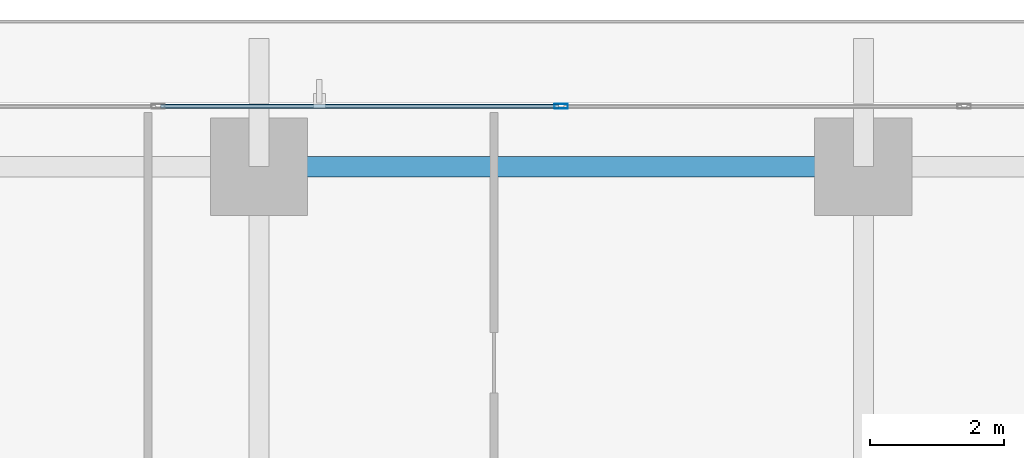
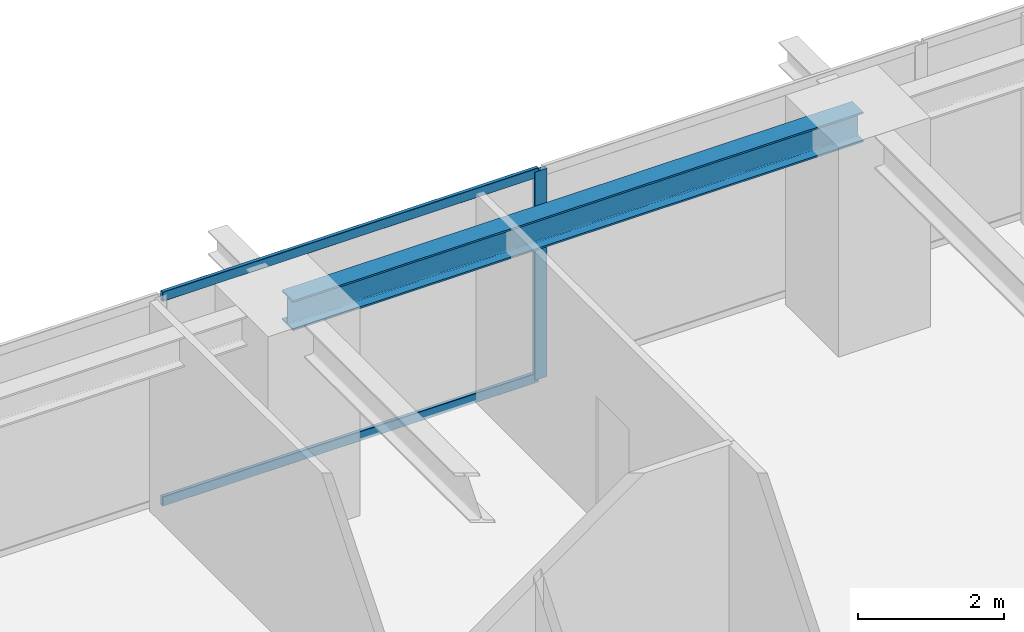
# One storey, part 21 of 41: 3 members, 1 beam, 1 element without a shape of its own.
"""IFC4 building model written with IfcOpenShell, lengths in metres."""

from ifc_helpers import new_model, si_unit, direction, frame, origin, origin_2d, place, context, subcontext, project, spatial, hollow_rectangle, i_section, extrude, source, transform, mapped, material, layer, layer_set, material_profile, profile_set, type_object, element, aggregate, save


model = new_model("IFC4")

# Units and contexts
model_context = context("Model", 3, precision=1e-05, world=origin(), true_north=direction((0.0, 1.0)))
body_context = subcontext(model_context, "Body", "Model", "MODEL_VIEW")
ifc_project = project(units=[si_unit("LENGTHUNIT", "METRE"), si_unit("AREAUNIT", "SQUARE_METRE"), si_unit("VOLUMEUNIT", "CUBIC_METRE"), si_unit("PLANEANGLEUNIT", "RADIAN"), si_unit("MASSUNIT", "GRAM", prefix="KILO")], contexts=[model_context])

# Site, building, storey
site_placement = place(None, origin())
site = spatial("IfcSite", under=ifc_project, at=site_placement, CompositionType="ELEMENT")
building_placement = place(site_placement, origin())
building = spatial("IfcBuilding", under=site, at=building_placement, Name="Serunith Strait Residences", CompositionType="ELEMENT")
storey_placement = place(building_placement, frame((0.0, 0.0, 75.449951171875)))
storey = spatial("IfcBuildingStorey", under=building, at=storey_placement, Name="L18", CompositionType="ELEMENT", Elevation=75.449951171875)

# Beam
ifc_material_1 = material(Name="Steel S355J2", Category="steel")
ifc_material_profile_1 = material_profile(ifc_material_1, i_section(OverallWidth=0.300048828125, OverallDepth=0.5, WebThickness=0.014404296875, FlangeThickness=0.028076171875, FilletRadius=0.027099609375, at=origin_2d()), Name="HEB 500")
ifc_profile_set_1 = profile_set([ifc_material_profile_1], Name="Steel S355J2")
beam_type = type_object("IfcBeamType", Name="BM-HEB500", PredefinedType="BEAM", material=ifc_profile_set_1)
shared_shape_1 = source(origin(), body_context, "Body", "SweptSolid", [
    extrude(i_section(OverallWidth=0.300048828125, OverallDepth=0.5, WebThickness=0.014404296875, FlangeThickness=0.028076171875, FilletRadius=0.027099609375, at=origin_2d()), origin(), (0.0, 0.0, 1.0), 9.0),
])
beam_placement = place(storey_placement, frame((36.89990234375, 49.300048828125, 3.237060546875), z_axis=(-1.0, 0.0, 0.0), x_axis=(0.0, -1.0, 0.0)))
element("IfcBeam", 1, at=beam_placement, inside=storey, type_object=beam_type, Name="L18 Perimeter Ring Beam 10", PredefinedType="BEAM", context=body_context, shape_type="MappedRepresentation", body=[
    mapped(shared_shape_1, transform((0.0, 0.0, 0.0), scale=1.0)),
])

# Curtain wall, members
ifc_material_2 = material(Name="Pale-Champagne Anodised Aluminium", Category="aluminium")
ifc_layer = layer(ifc_material_2, 0.199951171875, Name="Pale-Champagne Anodised Aluminium")
ifc_layer_set = layer_set([ifc_layer], Name="Pale-Champagne Anodised Aluminium")
curtain_wall_type = type_object("IfcCurtainWallType", Name="CW-SYS1", PredefinedType="NOTDEFINED", material=ifc_layer_set)
curtain_wall_placement = place(storey_placement, origin())
curtain_wall = element("IfcCurtainWall", 2, at=curtain_wall_placement, inside=storey, type_object=curtain_wall_type, Name="L18 N Unitised Fritted Curtain Wall", PredefinedType="NOTDEFINED")
ifc_material_profile_2 = material_profile(ifc_material_2, hollow_rectangle(XDim=0.070068359375, YDim=0.199951171875, WallThickness=0.00390625, InnerFilletRadius=0.006103515625, OuterFilletRadius=0.010009765625, at=origin_2d()), Name="ALU 200x70x4")
ifc_profile_set_2 = profile_set([ifc_material_profile_2], Name="Pale-Champagne Anodised Aluminium")
member_type_1 = type_object("IfcMemberType", Name="CW-SYS1-MULL", PredefinedType="MULLION", material=ifc_profile_set_2)
shared_shape_2 = source(origin(), body_context, "Body", "SweptSolid", [
    extrude(hollow_rectangle(XDim=0.070068359375, YDim=0.199951171875, WallThickness=0.00390625, InnerFilletRadius=0.006103515625, OuterFilletRadius=0.010009765625, at=origin_2d()), origin(), (0.0, 0.0, 1.0), 3.47509765625),
])
member_1_placement = place(storey_placement, frame((32.39990234375, 50.199951171875, 0.0), z_axis=(0.0, 0.0, 1.0), x_axis=(0.0, -1.0, 0.0)))
member_1 = element("IfcMember", 3, at=member_1_placement, type_object=member_type_1, Name="CW-1 mullion 4", PredefinedType="MULLION", context=body_context, shape_type="MappedRepresentation", body=[
    mapped(shared_shape_2, transform((0.0, 0.0, 0.0), scale=1.0)),
])
ifc_material_profile_3 = material_profile(ifc_material_2, hollow_rectangle(XDim=0.06005859375, YDim=0.159912109375, WallThickness=0.00341796875, InnerFilletRadius=0.00537109375, OuterFilletRadius=0.0087890625, at=origin_2d()), Name="ALU 160x60x3.5")
ifc_profile_set_3 = profile_set([ifc_material_profile_3], Name="Pale-Champagne Anodised Aluminium")
member_type_2 = type_object("IfcMemberType", Name="CW-SYS1-TRAN", PredefinedType="USERDEFINED", material=ifc_profile_set_3)
shared_shape_3 = source(origin(), body_context, "Body", "SweptSolid", [
    extrude(hollow_rectangle(XDim=0.06005859375, YDim=0.159912109375, WallThickness=0.00341796875, InnerFilletRadius=0.00537109375, OuterFilletRadius=0.0087890625, at=origin_2d()), origin(), (0.0, 0.0, 1.0), 5.929931640625),
])
member_2_placement = place(storey_placement, frame((32.364990234375, 50.199951171875, 0.030029296875), z_axis=(-1.0, 0.0, 0.0), x_axis=(0.0, -1.0, 0.0)))
member_2 = element("IfcMember", 4, at=member_2_placement, type_object=member_type_2, Name="CW-1 transom 4.1", ObjectType="TRANSOM", PredefinedType="USERDEFINED", context=body_context, shape_type="MappedRepresentation", body=[
    mapped(shared_shape_3, transform((0.0, 0.0, 0.0), scale=1.0)),
])
member_3_placement = place(storey_placement, frame((32.364990234375, 50.199951171875, 3.445068359375), z_axis=(-1.0, 0.0, 0.0), x_axis=(0.0, -1.0, 0.0)))
member_3 = element("IfcMember", 5, at=member_3_placement, type_object=member_type_2, Name="CW-1 transom 4.2", ObjectType="TRANSOM", PredefinedType="USERDEFINED", context=body_context, shape_type="MappedRepresentation", body=[
    mapped(shared_shape_3, transform((0.0, 0.0, 0.0), scale=1.0)),
])
aggregate(curtain_wall, [member_1, member_2, member_3])

save(model, "model.ifc")
